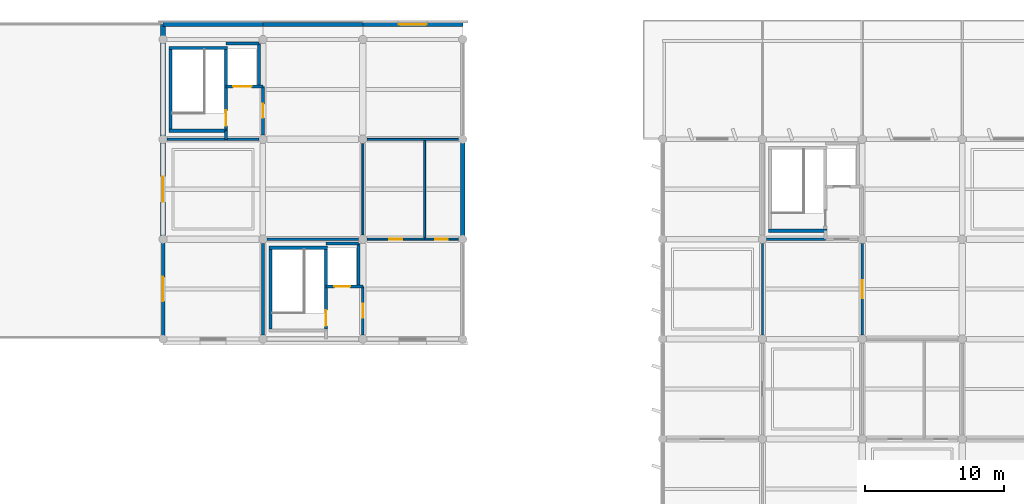
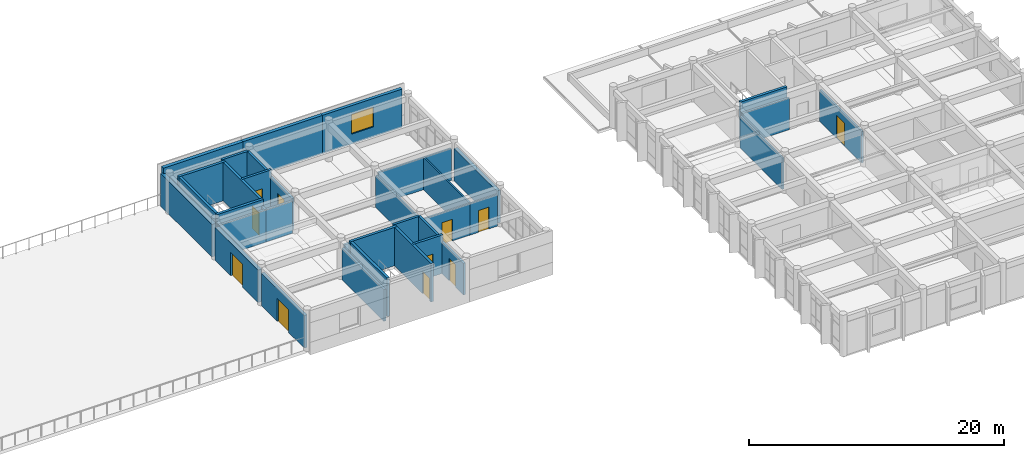
# One storey, part 12 of 16: 36 walls, 11 doors, 1 window, 12 openings.
"""IFC4 building model written with IfcOpenShell, lengths in metres."""

from ifc_helpers import new_model, si_unit, direction, frame, frame_2d, origin, place, context, subcontext, project, spatial, rectangle, extrude, material, layer, layer_set, type_object, element, fill, save


model = new_model("IFC4")

# Units and contexts
model_context = context("Model", 3, precision=1e-05, world=origin(), true_north=direction((0.0, 1.0)))
body_context = subcontext(model_context, "Body", "Model", "MODEL_VIEW")
ifc_project = project(units=[si_unit("LENGTHUNIT", "METRE"), si_unit("AREAUNIT", "SQUARE_METRE"), si_unit("VOLUMEUNIT", "CUBIC_METRE"), si_unit("PLANEANGLEUNIT", "RADIAN"), si_unit("MASSUNIT", "GRAM", prefix="KILO")], contexts=[model_context])

# Site, building, storey
site_placement = place(None, origin())
site = spatial("IfcSite", under=ifc_project, at=site_placement, CompositionType="ELEMENT")
building_placement = place(site_placement, origin())
building = spatial("IfcBuilding", under=site, at=building_placement, Name="Kavelor Marine Aquarium", CompositionType="ELEMENT")
storey_placement = place(building_placement, frame((0.0, 0.0, 21.60009765625)))
storey = spatial("IfcBuildingStorey", under=building, at=storey_placement, Name="L05", CompositionType="ELEMENT", Elevation=21.60009765625)

# Walls
ifc_material_1 = material(Name="Concrete C45/55", Category="concrete")
ifc_layer_1 = layer(ifc_material_1, 0.360107421875)
ifc_layer_set_1 = layer_set([ifc_layer_1], Name="WL-EX1")
wall_type_1 = type_object("IfcWallType", Name="WL-EX1", PredefinedType="STANDARD", material=ifc_layer_set_1)
wall_1_placement = place(storey_placement, frame((82.39990234375, 103.8349609375, 0.0), z_axis=(0.0, 0.0, 1.0), x_axis=(0.0, 1.0, 0.0)))
element("IfcWall", 1, at=wall_1_placement, inside=storey, type_object=wall_type_1, Name="ew:y:L05:11_14", PredefinedType="STANDARD", context=body_context, shape_type="SweptSolid", body=[
    extrude(rectangle(XDim=8.044921875, YDim=0.360107421875, at=frame_2d((4.0224609375, 0.0))), origin(), (0.0, 0.0, 1.0), 3.119873046875),
])
ifc_material_2 = material(Name="Concrete C45/55", Category="concrete")
ifc_layer_2 = layer(ifc_material_2, 0.320068359375)
ifc_layer_set_2 = layer_set([ifc_layer_2], Name="WL-EX2")
wall_type_2 = type_object("IfcWallType", Name="WL-EX2", PredefinedType="STANDARD", material=ifc_layer_set_2)
wall_2_placement = place(storey_placement, frame((82.39990234375, 111.8798828125, 0.0), z_axis=(0.0, 0.0, 1.0), x_axis=(1.0, 0.0, 0.0)))
element("IfcWall", 2, at=wall_2_placement, inside=storey, type_object=wall_type_2, Name="ew:x:L05:11_15", PredefinedType="STANDARD", context=body_context, shape_type="SweptSolid", body=[
    extrude(rectangle(XDim=7.2001953125, YDim=0.320068359375, at=frame_2d((3.60009765625, 0.0))), origin(), (0.0, 0.0, 1.0), 3.669921875),
])
ifc_material_3 = material(Name="Concrete C40/50", Category="concrete")
ifc_layer_3 = layer(ifc_material_3, 0.300048828125)
ifc_layer_set_3 = layer_set([ifc_layer_3], Name="WL-EX3")
wall_type_3 = type_object("IfcWallType", Name="WL-EX3", PredefinedType="STANDARD", material=ifc_layer_set_3)
wall_3_placement = place(storey_placement, frame((89.60009765625, 111.8798828125, 0.0), z_axis=(0.0, 0.0, 1.0), x_axis=(1.0, 0.0, 0.0)))
element("IfcWall", 3, at=wall_3_placement, inside=storey, type_object=wall_type_3, Name="ew:x:L05:12_15", PredefinedType="STANDARD", context=body_context, shape_type="SweptSolid", body=[
    extrude(rectangle(XDim=7.199951171875, YDim=0.300048828125, at=frame_2d((3.60009765625, 0.0))), origin(), (0.0, 0.0, 1.0), 3.669921875),
])
wall_4_placement = place(storey_placement, frame((104.0, 103.364990234375, 0.0), z_axis=(0.0, 0.0, 1.0), x_axis=(0.0, -1.0, 0.0)))
element("IfcWall", 4, at=wall_4_placement, inside=storey, type_object=wall_type_3, Name="ew:y:L05:14_13", PredefinedType="STANDARD", context=body_context, shape_type="SweptSolid", body=[
    extrude(rectangle(XDim=6.72998046875, YDim=0.300048828125, at=frame_2d((3.364990234375, 0.0))), origin(), (0.0, 0.0, 1.0), 3.119873046875),
])

# Wall, opening, window
ifc_material_4 = material(Name="Concrete C40/50", Category="concrete")
ifc_layer_4 = layer(ifc_material_4, 0.280029296875)
ifc_layer_set_4 = layer_set([ifc_layer_4], Name="WL-EX4")
wall_type_4 = type_object("IfcWallType", Name="WL-EX4", PredefinedType="STANDARD", material=ifc_layer_set_4)
wall_5_placement = place(storey_placement, frame((96.800048828125, 111.8798828125, 0.0), z_axis=(0.0, 0.0, 1.0), x_axis=(1.0, 0.0, 0.0)))
wall_5 = element("IfcWall", 5, at=wall_5_placement, inside=storey, type_object=wall_type_4, Name="ew:x:L05:13_15", PredefinedType="STANDARD", context=body_context, shape_type="SweptSolid", body=[
    extrude(rectangle(XDim=7.199951171875, YDim=0.280029296875, at=frame_2d((3.60009765625, 0.0))), origin(), (0.0, 0.0, 1.0), 3.669921875),
])
opening_1_placement = place(wall_5_placement, frame((2.60009765625, 0.0, 0.949951171875)))
opening_1 = element("IfcOpeningElement", 6, at=opening_1_placement, cuts=wall_5, Name="Opening W10", PredefinedType="OPENING", context=body_context, shape_type="SweptSolid", body=[
    extrude(rectangle(XDim=2.0, YDim=1.89990234375, at=frame_2d((1.0, 0.949951171875))), frame((0.0, 0.14990234375, 0.0), z_axis=(0.0, -1.0, 0.0), x_axis=(1.0, 0.0, 0.0)), (0.0, 0.0, 1.0), 0.300029),
])
ifc_material_5 = material(Name="Anodised Aluminium Frame with Low-E Double Glazing", Category="aluminium")
window_type = type_object("IfcWindowType", Name="WIN-W10", PartitioningType="DOUBLE_PANEL_VERTICAL", PredefinedType="WINDOW", material=ifc_material_5)
window_placement = place(opening_1_placement, origin())
window = element("IfcWindow", 7, at=window_placement, inside=storey, type_object=window_type, Name="win:x:L05:13_15", OverallHeight=1.89990234375, OverallWidth=2.0, PartitioningType="SINGLE_PANEL", PredefinedType="WINDOW", context=body_context, shape_type="SweptSolid", body=[
    extrude(rectangle(XDim=2.0, YDim=1.89990234375, at=frame_2d((1.0, 0.949951171875))), frame((0.0, 0.030029296875, 0.0), z_axis=(0.0, -1.0, 0.0), x_axis=(1.0, 0.0, 0.0)), (0.0, 0.0, 1.0), 0.06005859375),
])
fill(opening_1, window)

# Wall, opening, door
ifc_material_6 = material(Name="Concrete C40/50", Category="concrete")
ifc_layer_5 = layer(ifc_material_6, 0.260009765625)
ifc_layer_set_5 = layer_set([ifc_layer_5], Name="WL-EX5")
wall_type_5 = type_object("IfcWallType", Name="WL-EX5", PredefinedType="STANDARD", material=ifc_layer_set_5)
wall_6_placement = place(storey_placement, frame((82.39990234375, 89.43505859375, 0.0), z_axis=(0.0, 0.0, 1.0), x_axis=(0.0, 1.0, 0.0)))
wall_6 = element("IfcWall", 8, at=wall_6_placement, inside=storey, type_object=wall_type_5, Name="ew:y:L05:11_12", PredefinedType="STANDARD", context=body_context, shape_type="SweptSolid", body=[
    extrude(rectangle(XDim=6.72998046875, YDim=0.260009765625, at=frame_2d((3.364990234375, 0.0))), origin(), (0.0, 0.0, 1.0), 3.119873046875),
])
opening_2_placement = place(wall_6_placement, frame((2.47509765625, 0.0, 0.0)))
opening_2 = element("IfcOpeningElement", 9, at=opening_2_placement, cuts=wall_6, Name="Opening TD01", PredefinedType="OPENING", context=body_context, shape_type="SweptSolid", body=[
    extrude(rectangle(XDim=1.780029296875, YDim=2.179931640625, at=frame_2d((0.89013671875, 1.08984375))), frame((0.0, 0.139892578125, 0.0), z_axis=(0.0, -1.0, 0.0), x_axis=(1.0, 0.0, 0.0)), (0.0, 0.0, 1.0), 0.28001),
])
ifc_material_7 = material(Name="Marine-Grade Anodised Aluminium and Laminated Safety Glass", Category="aluminium")
door_type_1 = type_object("IfcDoorType", Name="DR-TD1", OperationType="NOTDEFINED", PredefinedType="DOOR", material=ifc_material_7)
door_1_placement = place(opening_2_placement, origin())
door_1 = element("IfcDoor", 10, at=door_1_placement, inside=storey, type_object=door_type_1, Name="Rooftop Terrace Access Door TD01", OperationType="DOUBLE_DOOR_SINGLE_SWING", OverallHeight=2.179931640625, OverallWidth=1.780029296875, PredefinedType="DOOR", context=body_context, shape_type="SweptSolid", body=[
    extrude(rectangle(XDim=1.780029296875, YDim=2.179931640625, at=frame_2d((0.89013671875, 1.08984375))), frame((0.0, 0.02490234375, 0.0), z_axis=(0.0, -1.0, 0.0), x_axis=(1.0, 0.0, 0.0)), (0.0, 0.0, 1.0), 0.050048828125),
])
fill(opening_2, door_1)

ifc_material_8 = material(Name="Concrete C45/55", Category="concrete")
ifc_layer_6 = layer(ifc_material_8, 0.340087890625)
ifc_layer_set_6 = layer_set([ifc_layer_6], Name="WL-EX6")
wall_type_6 = type_object("IfcWallType", Name="WL-EX6", PredefinedType="STANDARD", material=ifc_layer_set_6)
wall_7_placement = place(storey_placement, frame((82.39990234375, 96.635009765625, 0.0), z_axis=(0.0, 0.0, 1.0), x_axis=(0.0, 1.0, 0.0)))
wall_7 = element("IfcWall", 11, at=wall_7_placement, inside=storey, type_object=wall_type_6, Name="ew:y:L05:11_13", PredefinedType="STANDARD", context=body_context, shape_type="SweptSolid", body=[
    extrude(rectangle(XDim=6.72998046875, YDim=0.340087890625, at=frame_2d((3.364990234375, 0.0))), origin(), (0.0, 0.0, 1.0), 3.119873046875),
])
opening_3_placement = place(wall_7_placement, frame((2.455078125, 0.0, 0.0)))
opening_3 = element("IfcOpeningElement", 12, at=opening_3_placement, cuts=wall_7, Name="Opening TD02", PredefinedType="OPENING", context=body_context, shape_type="SweptSolid", body=[
    extrude(rectangle(XDim=1.820068359375, YDim=2.2099609375, at=frame_2d((0.91015625, 1.10498046875))), frame((0.0, 0.179931640625, 0.0), z_axis=(0.0, -1.0, 0.0), x_axis=(1.0, 0.0, 0.0)), (0.0, 0.0, 1.0), 0.360088),
])
ifc_material_9 = material(Name="Marine-Grade Anodised Aluminium and Laminated Safety Glass", Category="aluminium")
door_type_2 = type_object("IfcDoorType", Name="DR-TD2", OperationType="NOTDEFINED", PredefinedType="DOOR", material=ifc_material_9)
door_2_placement = place(opening_3_placement, origin())
door_2 = element("IfcDoor", 13, at=door_2_placement, inside=storey, type_object=door_type_2, Name="Rooftop Terrace Access Door TD02", OperationType="DOUBLE_DOOR_SINGLE_SWING", OverallHeight=2.2099609375, OverallWidth=1.820068359375, PredefinedType="DOOR", context=body_context, shape_type="SweptSolid", body=[
    extrude(rectangle(XDim=1.820068359375, YDim=2.2099609375, at=frame_2d((0.91015625, 1.10498046875))), frame((0.0, 0.02490234375, 0.0), z_axis=(0.0, -1.0, 0.0), x_axis=(1.0, 0.0, 0.0)), (0.0, 0.0, 1.0), 0.050048828125),
])
fill(opening_3, door_2)

# Wall
ifc_material_10 = material(Name="Concrete Blockwork Partition", Category="masonry")
ifc_layer_7 = layer(ifc_material_10, 0.199951171875)
ifc_layer_set_7 = layer_set([ifc_layer_7], Name="WL-PT1")
wall_type_7 = type_object("IfcWallType", Name="WL-PT1", PredefinedType="PARTITIONING", material=ifc_layer_set_7)
wall_8_placement = place(storey_placement, frame((86.93994140625, 103.60009765625, 0.0), z_axis=(0.0, 0.0, 1.0), x_axis=(0.0, 1.0, 0.0)))
element("IfcWall", 14, at=wall_8_placement, inside=storey, type_object=wall_type_7, Name="pt:st_close:s:C06:L05", PredefinedType="PARTITIONING", context=body_context, shape_type="SweptSolid", body=[
    extrude(rectangle(XDim=0.619873046875, YDim=0.199951171875, at=frame_2d((0.31005859375, 0.0))), origin(), (0.0, 0.0, 1.0), 3.06982421875),
])

# Wall, opening, door
wall_9_placement = place(storey_placement, frame((89.60009765625, 103.89990234375, 0.0), z_axis=(0.0, 0.0, 1.0), x_axis=(0.0, 1.0, 0.0)))
wall_9 = element("IfcWall", 15, at=wall_9_placement, inside=storey, type_object=wall_type_7, Name="pt:lob:C06:L05:e", PredefinedType="PARTITIONING", context=body_context, shape_type="SweptSolid", body=[
    extrude(rectangle(XDim=3.5, YDim=0.199951171875, at=frame_2d((1.75, 0.0))), origin(), (0.0, 0.0, 1.0), 3.02001953125),
])
opening_4_placement = place(wall_9_placement, frame((1.239990234375, 0.0, 0.0)))
opening_4 = element("IfcOpeningElement", 16, at=opening_4_placement, cuts=wall_9, Name="Opening SD1", PredefinedType="OPENING", context=body_context, shape_type="SweptSolid", body=[
    extrude(rectangle(XDim=1.02001953125, YDim=2.14990234375, at=frame_2d((0.510009765625, 1.074951171875))), frame((0.0, 0.10986328125, 0.0), z_axis=(0.0, -1.0, 0.0), x_axis=(1.0, 0.0, 0.0)), (0.0, 0.0, 1.0), 0.219951),
])
ifc_material_11 = material(Name="Fire-Rated Corridor Compartment Door")
door_type_3 = type_object("IfcDoorType", Name="DR-SD1", OperationType="NOTDEFINED", PredefinedType="DOOR", material=ifc_material_11)
door_3_placement = place(opening_4_placement, origin())
door_3 = element("IfcDoor", 17, at=door_3_placement, inside=storey, type_object=door_type_3, Name="Core Lobby Fire Door C06-L05", OperationType="SINGLE_SWING_RIGHT", OverallHeight=2.14990234375, OverallWidth=1.02001953125, PredefinedType="DOOR", context=body_context, shape_type="SweptSolid", body=[
    extrude(rectangle(XDim=1.02001953125, YDim=2.14990234375, at=frame_2d((0.510009765625, 1.074951171875))), frame((0.0, 0.02490234375, 0.0), z_axis=(0.0, -1.0, 0.0), x_axis=(1.0, 0.0, 0.0)), (0.0, 0.0, 1.0), 0.050048828125),
])
fill(opening_4, door_3)

# Walls
wall_10_placement = place(storey_placement, frame((82.699951171875, 103.60009765625, 0.0), z_axis=(0.0, 0.0, 1.0), x_axis=(1.0, 0.0, 0.0)))
element("IfcWall", 18, at=wall_10_placement, inside=storey, type_object=wall_type_7, Name="pt:lob:C06:L05:s_st", PredefinedType="PARTITIONING", context=body_context, shape_type="SweptSolid", body=[
    extrude(rectangle(XDim=4.239990234375, YDim=0.199951171875, at=frame_2d((2.1201171875, 0.0))), origin(), (0.0, 0.0, 1.0), 3.06982421875),
])
wall_11_placement = place(storey_placement, frame((86.93994140625, 103.60009765625, 0.0), z_axis=(0.0, 0.0, 1.0), x_axis=(1.0, 0.0, 0.0)))
element("IfcWall", 19, at=wall_11_placement, inside=storey, type_object=wall_type_7, Name="pt:lob:C06:L05:s", PredefinedType="PARTITIONING", context=body_context, shape_type="SweptSolid", body=[
    extrude(rectangle(XDim=2.360107421875, YDim=0.199951171875, at=frame_2d((1.18017578125, 0.0))), origin(), (0.0, 0.0, 1.0), 3.06982421875),
])
wall_12_placement = place(storey_placement, frame((89.60009765625, 89.5, 0.0), z_axis=(0.0, 0.0, 1.0), x_axis=(0.0, 1.0, 0.0)))
element("IfcWall", 20, at=wall_12_placement, inside=storey, type_object=wall_type_7, Name="pt:lob:C07:L05:w", PredefinedType="PARTITIONING", context=body_context, shape_type="SweptSolid", body=[
    extrude(rectangle(XDim=6.60009765625, YDim=0.199951171875, at=frame_2d((3.300048828125, 0.0))), origin(), (0.0, 0.0, 1.0), 3.02001953125),
])

# Wall, opening, door
wall_13_placement = place(storey_placement, frame((96.800048828125, 89.5, 0.0), z_axis=(0.0, 0.0, 1.0), x_axis=(0.0, 1.0, 0.0)))
wall_13 = element("IfcWall", 21, at=wall_13_placement, inside=storey, type_object=wall_type_7, Name="pt:lob:C07:L05:e", PredefinedType="PARTITIONING", context=body_context, shape_type="SweptSolid", body=[
    extrude(rectangle(XDim=3.5, YDim=0.199951171875, at=frame_2d((1.75, 0.0))), origin(), (0.0, 0.0, 1.0), 3.02001953125),
])
opening_5_placement = place(wall_13_placement, frame((1.239990234375, 0.0, 0.0)))
opening_5 = element("IfcOpeningElement", 22, at=opening_5_placement, cuts=wall_13, Name="Opening SD1", PredefinedType="OPENING", context=body_context, shape_type="SweptSolid", body=[
    extrude(rectangle(XDim=1.02001953125, YDim=2.14990234375, at=frame_2d((0.510009765625, 1.074951171875))), frame((0.0, 0.10986328125, 0.0), z_axis=(0.0, -1.0, 0.0), x_axis=(1.0, 0.0, 0.0)), (0.0, 0.0, 1.0), 0.219951),
])
door_4_placement = place(opening_5_placement, origin())
door_4 = element("IfcDoor", 23, at=door_4_placement, inside=storey, type_object=door_type_3, Name="Core Lobby Fire Door C07-L05", OperationType="SINGLE_SWING_RIGHT", OverallHeight=2.14990234375, OverallWidth=1.02001953125, PredefinedType="DOOR", context=body_context, shape_type="SweptSolid", body=[
    extrude(rectangle(XDim=1.02001953125, YDim=2.14990234375, at=frame_2d((0.510009765625, 1.074951171875))), frame((0.0, 0.02490234375, 0.0), z_axis=(0.0, -1.0, 0.0), x_axis=(1.0, 0.0, 0.0)), (0.0, 0.0, 1.0), 0.050048828125),
])
fill(opening_5, door_4)

# Walls
wall_14_placement = place(storey_placement, frame((89.89990234375, 96.39990234375, 0.0), z_axis=(0.0, 0.0, 1.0), x_axis=(1.0, 0.0, 0.0)))
element("IfcWall", 24, at=wall_14_placement, inside=storey, type_object=wall_type_7, Name="pt:lob:C07:L05:n_full", PredefinedType="PARTITIONING", context=body_context, shape_type="SweptSolid", body=[
    extrude(rectangle(XDim=6.60009765625, YDim=0.199951171875, at=frame_2d((3.300048828125, 0.0))), origin(), (0.0, 0.0, 1.0), 3.06982421875),
])
wall_15_placement = place(storey_placement, frame((125.89990234375, 96.39990234375, 0.0), z_axis=(0.0, 0.0, 1.0), x_axis=(1.0, 0.0, 0.0)))
element("IfcWall", 25, at=wall_15_placement, inside=storey, type_object=wall_type_7, Name="pt:lob:C10:L05:s_st", PredefinedType="PARTITIONING", context=body_context, shape_type="SweptSolid", body=[
    extrude(rectangle(XDim=4.239990234375, YDim=0.199951171875, at=frame_2d((2.1201171875, 0.0))), origin(), (0.0, 0.0, 1.0), 3.02001953125),
])
ifc_material_12 = material(Name="Acoustic Gypsum Stud Partition")
ifc_layer_8 = layer(ifc_material_12, 0.159912109375)
ifc_layer_set_8 = layer_set([ifc_layer_8], Name="WL-PT2")
wall_type_8 = type_object("IfcWallType", Name="WL-PT2", PredefinedType="PARTITIONING", material=ifc_layer_set_8)
wall_16_placement = place(storey_placement, frame((125.60009765625, 89.5, 0.0), z_axis=(0.0, 0.0, 1.0), x_axis=(0.0, 1.0, 0.0)))
element("IfcWall", 26, at=wall_16_placement, inside=storey, type_object=wall_type_8, Name="pt:y:L05:16_12", PredefinedType="PARTITIONING", context=body_context, shape_type="SweptSolid", body=[
    extrude(rectangle(XDim=6.60009765625, YDim=0.159912109375, at=frame_2d((3.300048828125, 0.0))), origin(), (0.0, 0.0, 1.0), 3.02001953125),
])

# Wall, opening, door
wall_17_placement = place(storey_placement, frame((132.800048828125, 89.5, 0.0), z_axis=(0.0, 0.0, 1.0), x_axis=(0.0, 1.0, 0.0)))
wall_17 = element("IfcWall", 27, at=wall_17_placement, inside=storey, type_object=wall_type_8, Name="pt:y:L05:17_12", PredefinedType="PARTITIONING", context=body_context, shape_type="SweptSolid", body=[
    extrude(rectangle(XDim=6.60009765625, YDim=0.159912109375, at=frame_2d((3.300048828125, 0.0))), origin(), (0.0, 0.0, 1.0), 3.02001953125),
])
opening_6_placement = place(wall_17_placement, frame((2.659912109375, 0.0, 0.0)))
opening_6 = element("IfcOpeningElement", 28, at=opening_6_placement, cuts=wall_17, Name="Opening D10", PredefinedType="OPENING", context=body_context, shape_type="SweptSolid", body=[
    extrude(rectangle(XDim=1.280029296875, YDim=2.199951171875, at=frame_2d((0.64013671875, 1.10009765625))), frame((0.0, 0.08984375, 0.0), z_axis=(0.0, -1.0, 0.0), x_axis=(1.0, 0.0, 0.0)), (0.0, 0.0, 1.0), 0.179912),
])
ifc_material_13 = material(Name="Equipment Store Wide Leaf Door")
door_type_4 = type_object("IfcDoorType", Name="DR-D10", OperationType="NOTDEFINED", PredefinedType="DOOR", material=ifc_material_13)
door_5_placement = place(opening_6_placement, origin())
door_5 = element("IfcDoor", 29, at=door_5_placement, inside=storey, type_object=door_type_4, Name="dr:rm:pt:y:L05:17_12:0", OperationType="SINGLE_SWING_LEFT", OverallHeight=2.199951171875, OverallWidth=1.280029296875, PredefinedType="DOOR", context=body_context, shape_type="SweptSolid", body=[
    extrude(rectangle(XDim=1.280029296875, YDim=2.199951171875, at=frame_2d((0.64013671875, 1.10009765625))), frame((0.0, 0.02490234375, 0.0), z_axis=(0.0, -1.0, 0.0), x_axis=(1.0, 0.0, 0.0)), (0.0, 0.0, 1.0), 0.050048828125),
])
fill(opening_6, door_5)

# Wall
ifc_material_14 = material(Name="Moisture-Resistant Marine Partition")
ifc_layer_9 = layer(ifc_material_14, 0.139892578125)
ifc_layer_set_9 = layer_set([ifc_layer_9], Name="WL-PT3")
wall_type_9 = type_object("IfcWallType", Name="WL-PT3", PredefinedType="PARTITIONING", material=ifc_layer_set_9)
wall_18_placement = place(storey_placement, frame((101.25, 96.39990234375, 0.0), z_axis=(0.0, 0.0, 1.0), x_axis=(0.0, 1.0, 0.0)))
element("IfcWall", 30, at=wall_18_placement, inside=storey, type_object=wall_type_9, Name="pt:san:div:L05:13_13", PredefinedType="PARTITIONING", context=body_context, shape_type="SweptSolid", body=[
    extrude(rectangle(XDim=7.2001953125, YDim=0.139892578125, at=frame_2d((3.60009765625, 0.0))), origin(), (0.0, 0.0, 1.0), 3.099853515625),
])

# Wall, opening, door
wall_19_placement = place(storey_placement, frame((97.10009765625, 96.39990234375, 0.0), z_axis=(0.0, 0.0, 1.0), x_axis=(1.0, 0.0, 0.0)))
wall_19 = element("IfcWall", 31, at=wall_19_placement, inside=storey, type_object=wall_type_9, Name="pt:san:f1:L05:13_13", PredefinedType="PARTITIONING", context=body_context, shape_type="SweptSolid", body=[
    extrude(rectangle(XDim=4.14990234375, YDim=0.139892578125, at=frame_2d((2.074951171875, 0.0))), origin(), (0.0, 0.0, 1.0), 3.02001953125),
])
opening_7_placement = place(wall_19_placement, frame((1.614990234375, 0.0, 0.0)))
opening_7 = element("IfcOpeningElement", 32, at=opening_7_placement, cuts=wall_19, Name="Opening D02", PredefinedType="OPENING", context=body_context, shape_type="SweptSolid", body=[
    extrude(rectangle(XDim=0.919921875, YDim=2.080078125, at=frame_2d((0.4599609375, 1.0400390625))), frame((0.0, 0.079833984375, 0.0), z_axis=(0.0, -1.0, 0.0), x_axis=(1.0, 0.0, 0.0)), (0.0, 0.0, 1.0), 0.159893),
])
ifc_material_15 = material(Name="Moisture-Resistant Laminate Sanitary Door")
door_type_5 = type_object("IfcDoorType", Name="DR-D02", OperationType="NOTDEFINED", PredefinedType="DOOR", material=ifc_material_15)
door_6_placement = place(opening_7_placement, origin())
door_6 = element("IfcDoor", 33, at=door_6_placement, inside=storey, type_object=door_type_5, Name="dr:wc:L05:13_13", OperationType="SINGLE_SWING_RIGHT", OverallHeight=2.080078125, OverallWidth=0.919921875, PredefinedType="DOOR", context=body_context, shape_type="SweptSolid", body=[
    extrude(rectangle(XDim=0.919921875, YDim=2.080078125, at=frame_2d((0.4599609375, 1.0400390625))), frame((0.0, 0.02490234375, 0.0), z_axis=(0.0, -1.0, 0.0), x_axis=(1.0, 0.0, 0.0)), (0.0, 0.0, 1.0), 0.050048828125),
])
fill(opening_7, door_6)

wall_20_placement = place(storey_placement, frame((101.25, 96.39990234375, 0.0), z_axis=(0.0, 0.0, 1.0), x_axis=(1.0, 0.0, 0.0)))
wall_20 = element("IfcWall", 34, at=wall_20_placement, inside=storey, type_object=wall_type_9, Name="pt:san:f2:L05:13_13", PredefinedType="PARTITIONING", context=body_context, shape_type="SweptSolid", body=[
    extrude(rectangle(XDim=2.449951171875, YDim=0.139892578125, at=frame_2d((1.22509765625, 0.0))), origin(), (0.0, 0.0, 1.0), 3.02001953125),
])
opening_8_placement = place(wall_20_placement, frame((0.764892578125, 0.0, 0.0)))
opening_8 = element("IfcOpeningElement", 35, at=opening_8_placement, cuts=wall_20, Name="Opening D02", PredefinedType="OPENING", context=body_context, shape_type="SweptSolid", body=[
    extrude(rectangle(XDim=0.919921875, YDim=2.080078125, at=frame_2d((0.4599609375, 1.0400390625))), frame((0.0, 0.079833984375, 0.0), z_axis=(0.0, -1.0, 0.0), x_axis=(1.0, 0.0, 0.0)), (0.0, 0.0, 1.0), 0.159893),
])
door_7_placement = place(opening_8_placement, origin())
door_7 = element("IfcDoor", 36, at=door_7_placement, inside=storey, type_object=door_type_5, Name="dr:awc:L05:13_13", OperationType="SINGLE_SWING_LEFT", OverallHeight=2.080078125, OverallWidth=0.919921875, PredefinedType="DOOR", context=body_context, shape_type="SweptSolid", body=[
    extrude(rectangle(XDim=0.919921875, YDim=2.080078125, at=frame_2d((0.4599609375, 1.0400390625))), frame((0.0, 0.02490234375, 0.0), z_axis=(0.0, -1.0, 0.0), x_axis=(1.0, 0.0, 0.0)), (0.0, 0.0, 1.0), 0.050048828125),
])
fill(opening_8, door_7)

# Walls
wall_21_placement = place(storey_placement, frame((97.10009765625, 103.60009765625, 0.0), z_axis=(0.0, 0.0, 1.0), x_axis=(1.0, 0.0, 0.0)))
element("IfcWall", 37, at=wall_21_placement, inside=storey, type_object=wall_type_9, Name="pt:san:enc_n:L05:13_13", PredefinedType="PARTITIONING", context=body_context, shape_type="SweptSolid", body=[
    extrude(rectangle(XDim=6.599853515625, YDim=0.139892578125, at=frame_2d((3.2998046875, 0.0))), origin(), (0.0, 0.0, 1.0), 3.06982421875),
])
wall_22_placement = place(storey_placement, frame((96.800048828125, 96.699951171875, 0.0), z_axis=(0.0, 0.0, 1.0), x_axis=(0.0, 1.0, 0.0)))
element("IfcWall", 38, at=wall_22_placement, inside=storey, type_object=wall_type_9, Name="pt:san:enc_w:L05:13_13", PredefinedType="PARTITIONING", context=body_context, shape_type="SweptSolid", body=[
    extrude(rectangle(XDim=6.60009765625, YDim=0.139892578125, at=frame_2d((3.300048828125, 0.0))), origin(), (0.0, 0.0, 1.0), 3.06982421875),
])
ifc_material_16 = material(Name="Concrete C40/50", Category="concrete")
ifc_layer_10 = layer(ifc_material_16, 0.35009765625)
ifc_layer_set_10 = layer_set([ifc_layer_10], Name="WL-SW2")
wall_type_10 = type_object("IfcWallType", Name="WL-SW2", PredefinedType="SHEAR", material=ifc_layer_set_10)
for number, where, z_axis, x_axis, name in (
    (39, (82.820068359375, 104.219970703125, 0.0), (0.0, 0.0, 1.0), (1.0, 0.0, 0.0), "cw_st:s:C06:L05"),
    (40, (82.820068359375, 110.179931640625, 0.0), (0.0, 0.0, 1.0), (1.0, 0.0, 0.0), "cw_st:n:C06:L05"),
):
    element("IfcWall", number, at=place(storey_placement, frame(where, z_axis=z_axis, x_axis=x_axis)), inside=storey, type_object=wall_type_10, Name=name, PredefinedType="SHEAR", context=body_context, shape_type="SweptSolid", body=[
        extrude(rectangle(XDim=4.239990234375, YDim=0.239990234375, at=frame_2d((2.1201171875, 0.0))), origin(), (0.0, 0.0, 1.0), 3.679931640625),
    ])
wall_23_placement = place(storey_placement, frame((82.93994140625, 104.340087890625, 0.0), z_axis=(0.0, 0.0, 1.0), x_axis=(0.0, 1.0, 0.0)))
element("IfcWall", 41, at=wall_23_placement, inside=storey, type_object=wall_type_10, Name="cw_st:w:C06:L05", PredefinedType="SHEAR", context=body_context, shape_type="SweptSolid", body=[
    extrude(rectangle(XDim=5.719970703125, YDim=0.239990234375, at=frame_2d((2.85986328125, 0.0))), origin(), (0.0, 0.0, 1.0), 3.679931640625),
])

# Wall, opening, door
wall_24_placement = place(storey_placement, frame((86.93994140625, 104.340087890625, 0.0), z_axis=(0.0, 0.0, 1.0), x_axis=(0.0, 1.0, 0.0)))
wall_24 = element("IfcWall", 42, at=wall_24_placement, inside=storey, type_object=wall_type_10, Name="cw_st:e:C06:L05", PredefinedType="SHEAR", context=body_context, shape_type="SweptSolid", body=[
    extrude(rectangle(XDim=5.719970703125, YDim=0.239990234375, at=frame_2d((2.85986328125, 0.0))), origin(), (0.0, 0.0, 1.0), 3.679931640625),
])
opening_9_placement = place(wall_24_placement, frame((0.219970703125, 0.0, 0.0)))
opening_9 = element("IfcOpeningElement", 43, at=opening_9_placement, cuts=wall_24, Name="Opening FD1", PredefinedType="OPENING", context=body_context, shape_type="SweptSolid", body=[
    extrude(rectangle(XDim=1.1201171875, YDim=2.14990234375, at=frame_2d((0.56005859375, 1.074951171875))), frame((0.0, 0.1298828125, 0.0), z_axis=(0.0, -1.0, 0.0), x_axis=(1.0, 0.0, 0.0)), (0.0, 0.0, 1.0), 0.25999),
])
ifc_material_17 = material(Name="Fire-Rated Steel Stair and Core Door", Category="steel")
door_type_6 = type_object("IfcDoorType", Name="DR-FD1", OperationType="NOTDEFINED", PredefinedType="DOOR", material=ifc_material_17)
door_8_placement = place(opening_9_placement, origin())
door_8 = element("IfcDoor", 44, at=door_8_placement, inside=storey, type_object=door_type_6, Name="Stair Fire Door ST06-L05", OperationType="SINGLE_SWING_LEFT", OverallHeight=2.14990234375, OverallWidth=1.1201171875, PredefinedType="DOOR", context=body_context, shape_type="SweptSolid", body=[
    extrude(rectangle(XDim=1.1201171875, YDim=2.14990234375, at=frame_2d((0.56005859375, 1.074951171875))), frame((0.0, 0.02490234375, 0.0), z_axis=(0.0, -1.0, 0.0), x_axis=(1.0, 0.0, 0.0)), (0.0, 0.0, 1.0), 0.050048828125),
])
fill(opening_9, door_8)

wall_25_placement = place(storey_placement, frame((86.93994140625, 107.39990234375, 0.0), z_axis=(0.0, 0.0, 1.0), x_axis=(1.0, 0.0, 0.0)))
wall_25 = element("IfcWall", 45, at=wall_25_placement, inside=storey, type_object=wall_type_10, Name="cw_lf:s:C06:L05", PredefinedType="SHEAR", context=body_context, shape_type="SweptSolid", body=[
    extrude(rectangle(XDim=2.66015625, YDim=0.219970703125, at=frame_2d((1.330078125, 0.0))), origin(), (0.0, 0.0, 1.0), 3.679931640625),
])
opening_10_placement = place(wall_25_placement, frame((0.510009765625, 0.0, 0.0)))
opening_10 = element("IfcOpeningElement", 46, at=opening_10_placement, cuts=wall_25, Name="Opening LD2", PredefinedType="OPENING", context=body_context, shape_type="SweptSolid", body=[
    extrude(rectangle(XDim=1.340087890625, YDim=2.14990234375, at=frame_2d((0.669921875, 1.074951171875))), frame((0.0, 0.119873046875, 0.0), z_axis=(0.0, -1.0, 0.0), x_axis=(1.0, 0.0, 0.0)), (0.0, 0.0, 1.0), 0.239971),
])
ifc_material_18 = material(Name="Stainless Steel Goods and Stretcher Lift Sliding Door", Category="steel")
door_type_7 = type_object("IfcDoorType", Name="DR-LD2", OperationType="NOTDEFINED", PredefinedType="DOOR", material=ifc_material_18)
door_9_placement = place(opening_10_placement, origin())
door_9 = element("IfcDoor", 47, at=door_9_placement, inside=storey, type_object=door_type_7, Name="Lift Landing Sliding Door FL1-L05", OperationType="DOUBLE_DOOR_SLIDING", OverallHeight=2.14990234375, OverallWidth=1.340087890625, PredefinedType="DOOR", context=body_context, shape_type="SweptSolid", body=[
    extrude(rectangle(XDim=1.340087890625, YDim=2.14990234375, at=frame_2d((0.669921875, 1.074951171875))), frame((0.0, 0.02490234375, 0.0), z_axis=(0.0, -1.0, 0.0), x_axis=(1.0, 0.0, 0.0)), (0.0, 0.0, 1.0), 0.050048828125),
])
fill(opening_10, door_9)

# Walls
wall_26_placement = place(storey_placement, frame((86.93994140625, 110.5, 0.0), z_axis=(0.0, 0.0, 1.0), x_axis=(1.0, 0.0, 0.0)))
element("IfcWall", 48, at=wall_26_placement, inside=storey, type_object=wall_type_10, Name="cw_lf:n:C06:L05", PredefinedType="SHEAR", context=body_context, shape_type="SweptSolid", body=[
    extrude(rectangle(XDim=2.360107421875, YDim=0.219970703125, at=frame_2d((1.18017578125, 0.0))), origin(), (0.0, 0.0, 1.0), 3.679931640625),
])
wall_27_placement = place(storey_placement, frame((89.300048828125, 107.39990234375, 0.0), z_axis=(0.0, 0.0, 1.0), x_axis=(0.0, 1.0, 0.0)))
element("IfcWall", 49, at=wall_27_placement, inside=storey, type_object=wall_type_10, Name="cw_lf:e:C06:L05", PredefinedType="SHEAR", context=body_context, shape_type="SweptSolid", body=[
    extrude(rectangle(XDim=3.10009765625, YDim=0.219970703125, at=frame_2d((1.550048828125, 0.0))), origin(), (0.0, 0.0, 1.0), 3.679931640625),
])
wall_28_placement = place(storey_placement, frame((90.02001953125, 95.780029296875, 0.0), z_axis=(0.0, 0.0, 1.0), x_axis=(1.0, 0.0, 0.0)))
element("IfcWall", 50, at=wall_28_placement, inside=storey, type_object=wall_type_10, Name="cw_st:n:C07:L05", PredefinedType="SHEAR", context=body_context, shape_type="SweptSolid", body=[
    extrude(rectangle(XDim=4.239990234375, YDim=0.239990234375, at=frame_2d((2.1201171875, 0.0))), origin(), (0.0, 0.0, 1.0), 3.679931640625),
])
wall_29_placement = place(storey_placement, frame((90.139892578125, 89.93994140625, 0.0), z_axis=(0.0, 0.0, 1.0), x_axis=(0.0, 1.0, 0.0)))
element("IfcWall", 51, at=wall_29_placement, inside=storey, type_object=wall_type_10, Name="cw_st:w:C07:L05", PredefinedType="SHEAR", context=body_context, shape_type="SweptSolid", body=[
    extrude(rectangle(XDim=5.719970703125, YDim=0.239990234375, at=frame_2d((2.85986328125, 0.0))), origin(), (0.0, 0.0, 1.0), 3.679931640625),
])

# Wall, opening, door
wall_30_placement = place(storey_placement, frame((94.139892578125, 89.93994140625, 0.0), z_axis=(0.0, 0.0, 1.0), x_axis=(0.0, 1.0, 0.0)))
wall_30 = element("IfcWall", 52, at=wall_30_placement, inside=storey, type_object=wall_type_10, Name="cw_st:e:C07:L05", PredefinedType="SHEAR", context=body_context, shape_type="SweptSolid", body=[
    extrude(rectangle(XDim=5.719970703125, YDim=0.239990234375, at=frame_2d((2.85986328125, 0.0))), origin(), (0.0, 0.0, 1.0), 3.679931640625),
])
opening_11_placement = place(wall_30_placement, frame((0.219970703125, 0.0, 0.0)))
opening_11 = element("IfcOpeningElement", 53, at=opening_11_placement, cuts=wall_30, Name="Opening FD1", PredefinedType="OPENING", context=body_context, shape_type="SweptSolid", body=[
    extrude(rectangle(XDim=1.1201171875, YDim=2.14990234375, at=frame_2d((0.56005859375, 1.074951171875))), frame((0.0, 0.1298828125, 0.0), z_axis=(0.0, -1.0, 0.0), x_axis=(1.0, 0.0, 0.0)), (0.0, 0.0, 1.0), 0.25999),
])
door_10_placement = place(opening_11_placement, origin())
door_10 = element("IfcDoor", 54, at=door_10_placement, inside=storey, type_object=door_type_6, Name="Stair Fire Door ST07-L05", OperationType="SINGLE_SWING_LEFT", OverallHeight=2.14990234375, OverallWidth=1.1201171875, PredefinedType="DOOR", context=body_context, shape_type="SweptSolid", body=[
    extrude(rectangle(XDim=1.1201171875, YDim=2.14990234375, at=frame_2d((0.56005859375, 1.074951171875))), frame((0.0, 0.02490234375, 0.0), z_axis=(0.0, -1.0, 0.0), x_axis=(1.0, 0.0, 0.0)), (0.0, 0.0, 1.0), 0.050048828125),
])
fill(opening_11, door_10)

wall_31_placement = place(storey_placement, frame((94.139892578125, 93.0, 0.0), z_axis=(0.0, 0.0, 1.0), x_axis=(1.0, 0.0, 0.0)))
wall_31 = element("IfcWall", 55, at=wall_31_placement, inside=storey, type_object=wall_type_10, Name="cw_lf:s:C07:L05", PredefinedType="SHEAR", context=body_context, shape_type="SweptSolid", body=[
    extrude(rectangle(XDim=2.66015625, YDim=0.219970703125, at=frame_2d((1.330078125, 0.0))), origin(), (0.0, 0.0, 1.0), 3.679931640625),
])
opening_12_placement = place(wall_31_placement, frame((0.610107421875, 0.0, 0.0)))
opening_12 = element("IfcOpeningElement", 56, at=opening_12_placement, cuts=wall_31, Name="Opening LD1", PredefinedType="OPENING", context=body_context, shape_type="SweptSolid", body=[
    extrude(rectangle(XDim=1.139892578125, YDim=2.14990234375, at=frame_2d((0.56982421875, 1.074951171875))), frame((0.0, 0.119873046875, 0.0), z_axis=(0.0, -1.0, 0.0), x_axis=(1.0, 0.0, 0.0)), (0.0, 0.0, 1.0), 0.239971),
])
ifc_material_19 = material(Name="Stainless Steel Lift Landing Sliding Door", Category="steel")
door_type_8 = type_object("IfcDoorType", Name="DR-LD1", OperationType="NOTDEFINED", PredefinedType="DOOR", material=ifc_material_19)
door_11_placement = place(opening_12_placement, origin())
door_11 = element("IfcDoor", 57, at=door_11_placement, inside=storey, type_object=door_type_8, Name="Lift Landing Sliding Door EL2-L05", OperationType="SLIDING_TO_LEFT", OverallHeight=2.14990234375, OverallWidth=1.139892578125, PredefinedType="DOOR", context=body_context, shape_type="SweptSolid", body=[
    extrude(rectangle(XDim=1.139892578125, YDim=2.14990234375, at=frame_2d((0.56982421875, 1.074951171875))), frame((0.0, 0.02490234375, 0.0), z_axis=(0.0, -1.0, 0.0), x_axis=(1.0, 0.0, 0.0)), (0.0, 0.0, 1.0), 0.050048828125),
])
fill(opening_12, door_11)

# Walls
wall_32_placement = place(storey_placement, frame((94.139892578125, 96.10009765625, 0.0), z_axis=(0.0, 0.0, 1.0), x_axis=(1.0, 0.0, 0.0)))
element("IfcWall", 58, at=wall_32_placement, inside=storey, type_object=wall_type_10, Name="cw_lf:n:C07:L05", PredefinedType="SHEAR", context=body_context, shape_type="SweptSolid", body=[
    extrude(rectangle(XDim=2.360107421875, YDim=0.219970703125, at=frame_2d((1.18017578125, 0.0))), origin(), (0.0, 0.0, 1.0), 3.679931640625),
])
wall_33_placement = place(storey_placement, frame((96.5, 93.0, 0.0), z_axis=(0.0, 0.0, 1.0), x_axis=(0.0, 1.0, 0.0)))
element("IfcWall", 59, at=wall_33_placement, inside=storey, type_object=wall_type_10, Name="cw_lf:e:C07:L05", PredefinedType="SHEAR", context=body_context, shape_type="SweptSolid", body=[
    extrude(rectangle(XDim=3.10009765625, YDim=0.219970703125, at=frame_2d((1.550048828125, 0.0))), origin(), (0.0, 0.0, 1.0), 3.679931640625),
])
wall_34_placement = place(storey_placement, frame((126.02001953125, 97.02001953125, 0.0), z_axis=(0.0, 0.0, 1.0), x_axis=(1.0, 0.0, 0.0)))
element("IfcWall", 60, at=wall_34_placement, inside=storey, type_object=wall_type_10, Name="cw_st:s:C10:L05", PredefinedType="SHEAR", context=body_context, shape_type="SweptSolid", body=[
    extrude(rectangle(XDim=4.239990234375, YDim=0.239990234375, at=frame_2d((2.1201171875, 0.0))), origin(), (0.0, 0.0, 1.0), 3.679931640625),
])

save(model, "model.ifc")
